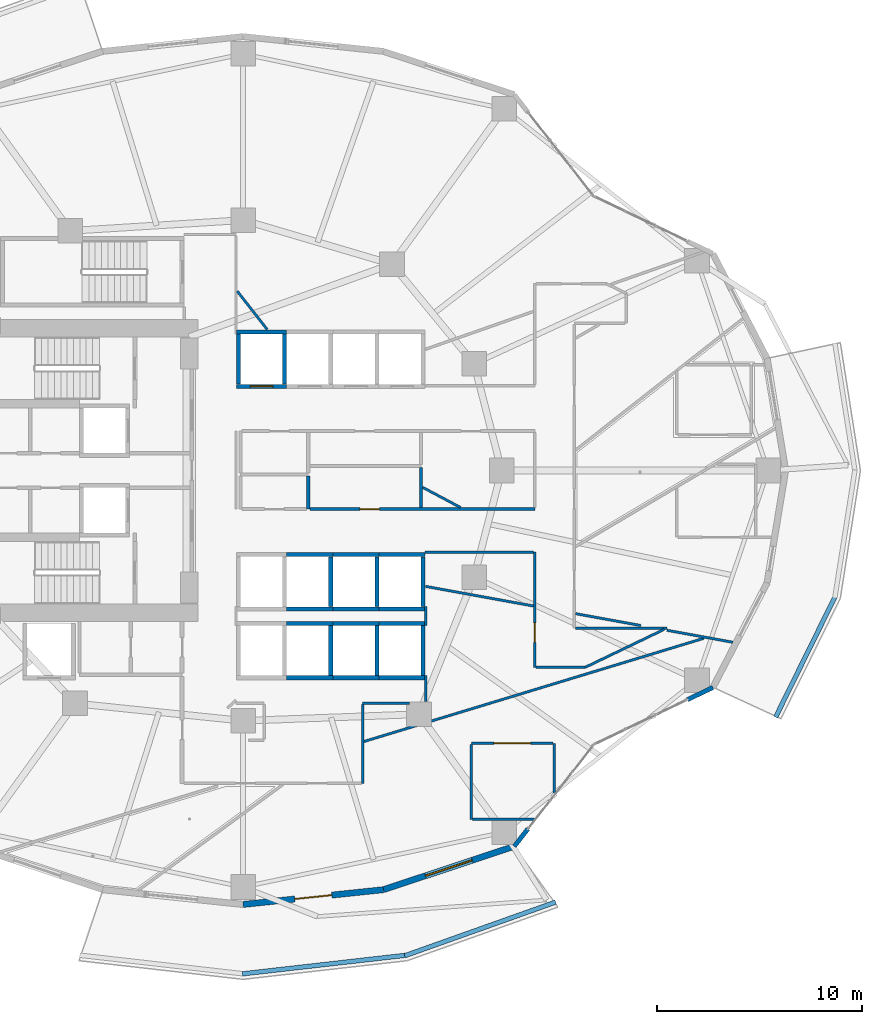
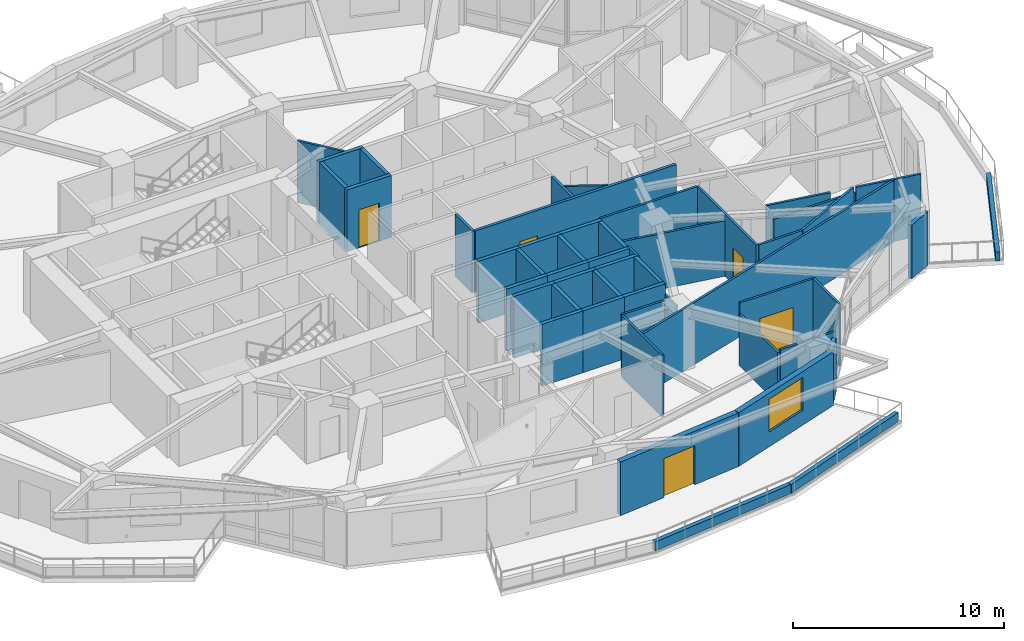
# One storey, part 10 of 19: 51 walls, 5 doors, 1 window, 6 openings.
"""IFC4 building model written with IfcOpenShell, lengths in metres."""

from ifc_helpers import new_model, si_unit, direction, frame, frame_2d, origin, place, context, subcontext, project, spatial, rectangle, extrude, material, layer, layer_set, type_object, element, fill, save


model = new_model("IFC4")

# Units and contexts
model_context = context("Model", 3, precision=1e-05, world=origin(), true_north=direction((0.0, 1.0)))
body_context = subcontext(model_context, "Body", "Model", "MODEL_VIEW")
ifc_project = project(units=[si_unit("LENGTHUNIT", "METRE"), si_unit("AREAUNIT", "SQUARE_METRE"), si_unit("VOLUMEUNIT", "CUBIC_METRE"), si_unit("PLANEANGLEUNIT", "RADIAN"), si_unit("MASSUNIT", "GRAM", prefix="KILO")], contexts=[model_context])

# Site, building, storey
site_placement = place(None, origin())
site = spatial("IfcSite", under=ifc_project, at=site_placement, CompositionType="ELEMENT")
building_placement = place(site_placement, origin())
building = spatial("IfcBuilding", under=site, at=building_placement, Name="Kolvaren Gate Tower and Convention Centre", CompositionType="ELEMENT")
storey_placement = place(building_placement, frame((0.0, 0.0, 68.85009765625)))
storey = spatial("IfcBuildingStorey", under=building, at=storey_placement, Name="L16", CompositionType="ELEMENT", Elevation=68.85009765625)

# Walls
ifc_material_1 = material(Name="Fire-Rated Acoustic Gypsum Stud Partition", Category="gypsum")
ifc_layer_1 = layer(ifc_material_1, 0.1201171875)
ifc_layer_set_1 = layer_set([ifc_layer_1], Name="Fire-Rated Acoustic Gypsum Stud Partition")
wall_type_1 = type_object("IfcWallType", Name="ARCH-WL-PART-120", PredefinedType="PARTITIONING", material=ifc_layer_set_1)
wall_1_placement = place(storey_placement, frame((35.949951171875, 15.64990234375, 0.0), z_axis=(0.0, 0.0, 1.0), x_axis=(1.0, 0.0, 0.0)))
element("IfcWall", 1, at=wall_1_placement, inside=storey, type_object=wall_type_1, Name="Interior Partition WL-L16-INT-023", PredefinedType="PARTITIONING", context=body_context, shape_type="SweptSolid", body=[
    extrude(rectangle(XDim=2.291015625, YDim=0.1201171875, at=frame_2d((1.1455078125, 0.0))), origin(), (0.0, 0.0, 1.0), 3.56982421875),
])
wall_2_placement = place(storey_placement, frame((35.949951171875, 11.75, 0.0), z_axis=(0.0, 0.0, 1.0), x_axis=(0.0, 1.0, 0.0)))
element("IfcWall", 2, at=wall_2_placement, inside=storey, type_object=wall_type_1, Name="Interior Partition WL-L16-INT-024", PredefinedType="PARTITIONING", context=body_context, shape_type="SweptSolid", body=[
    extrude(rectangle(XDim=3.837890625, YDim=0.1201171875, at=frame_2d((1.9189453125, 0.0))), origin(), (0.0, 0.0, 1.0), 3.56982421875),
])

# Wall, opening, door
wall_3_placement = place(storey_placement, frame((44.35009765625, 17.39990234375, 0.0), z_axis=(0.0, 0.0, 1.0), x_axis=(0.0, 1.0, 0.0)))
wall_3 = element("IfcWall", 3, at=wall_3_placement, inside=storey, type_object=wall_type_1, Name="Interior Partition WL-L16-INT-032", PredefinedType="PARTITIONING", context=body_context, shape_type="SweptSolid", body=[
    extrude(rectangle(XDim=5.6201171875, YDim=0.1201171875, at=frame_2d((2.81005859375, 0.0))), origin(), (0.0, 0.0, 1.0), 3.56982421875),
])
opening_1_placement = place(wall_3_placement, frame((1.222900390625, 0.0, 0.0)))
opening_1 = element("IfcOpeningElement", 4, at=opening_1_placement, cuts=wall_3, Name="Opening DR-01", PredefinedType="OPENING", context=body_context, shape_type="SweptSolid", body=[
    extrude(rectangle(XDim=0.949951171875, YDim=2.10009765625, at=frame_2d((0.47509765625, 1.050048828125))), frame((0.0, 0.070068359375, 0.0), z_axis=(0.0, -1.0, 0.0), x_axis=(1.0, 0.0, 0.0)), (0.0, 0.0, 1.0), 0.14013671875),
])
ifc_material_2 = material(Name="Painted Architectural Steelwork ASTM A500 Grade C 345 MPa", Category="steel")
door_type_1 = type_object("IfcDoorType", Name="ARCH-DR-RISER-950", OperationType="SINGLE_SWING_RIGHT", PredefinedType="DOOR", material=ifc_material_2)
door_1_placement = place(opening_1_placement, origin())
door_1 = element("IfcDoor", 5, at=door_1_placement, inside=storey, type_object=door_type_1, Name="Associate Cellular Office Door", OperationType="SINGLE_SWING_LEFT", OverallHeight=2.10009765625, OverallWidth=0.949951171875, PredefinedType="DOOR", context=body_context, shape_type="SweptSolid", body=[
    extrude(rectangle(XDim=0.949951171875, YDim=2.10009765625, at=frame_2d((0.47509765625, 1.050048828125))), frame((0.0, 0.02490234375, 0.0), z_axis=(0.0, -1.0, 0.0), x_axis=(1.0, 0.0, 0.0)), (0.0, 0.0, 1.0), 0.050048828125),
])
fill(opening_1, door_1)

# Walls
wall_4_placement = place(storey_placement, frame((46.33203125, 19.320068359375, 0.0), z_axis=(0.0, 0.0, 1.0), x_axis=(1.0, 0.0, 0.0)))
element("IfcWall", 6, at=wall_4_placement, inside=storey, type_object=wall_type_1, Name="Interior Partition WL-L16-INT-040", PredefinedType="PARTITIONING", context=body_context, shape_type="SweptSolid", body=[
    extrude(rectangle(XDim=4.447021484375, YDim=0.1201171875, at=frame_2d((2.2236328125, 0.0))), origin(), (0.0, 0.0, 1.0), 3.204833984375),
])
wall_5_placement = place(storey_placement, frame((46.782958984375, 17.39990234375, 0.0), z_axis=(0.0, 0.0, 1.0), x_axis=(0.901339159108, 0.433113980679, 0.0)))
element("IfcWall", 7, at=wall_5_placement, inside=storey, type_object=wall_type_1, Name="Interior Partition WL-L16-INT-041", PredefinedType="PARTITIONING", context=body_context, shape_type="SweptSolid", body=[
    extrude(rectangle(XDim=4.290283203125, YDim=0.1201171875, at=frame_2d((2.14501953125, 0.0))), origin(), (0.0, 0.0, 1.0), 3.56982421875),
])
wall_6_placement = place(storey_placement, frame((44.412109375, 17.39990234375, 0.0), z_axis=(0.0, 0.0, 1.0), x_axis=(1.0, 0.0, 0.0)))
element("IfcWall", 8, at=wall_6_placement, inside=storey, type_object=wall_type_1, Name="Interior Partition WL-L16-INT-042", PredefinedType="PARTITIONING", context=body_context, shape_type="SweptSolid", body=[
    extrude(rectangle(XDim=2.370849609375, YDim=0.1201171875, at=frame_2d((1.185546875, 0.0))), origin(), (0.0, 0.0, 1.0), 3.56982421875),
])
wall_7_placement = place(storey_placement, frame((39.0, 23.02001953125, 0.0), z_axis=(0.0, 0.0, 1.0), x_axis=(1.0, 0.0, 0.0)))
element("IfcWall", 9, at=wall_7_placement, inside=storey, type_object=wall_type_1, Name="Interior Partition WL-L16-INT-043", PredefinedType="PARTITIONING", context=body_context, shape_type="SweptSolid", body=[
    extrude(rectangle(XDim=5.2880859375, YDim=0.1201171875, at=frame_2d((2.64404296875, 0.0))), origin(), (0.0, 0.0, 1.0), 3.56982421875),
])
wall_8_placement = place(storey_placement, frame((39.02001953125, 15.741943359375, 0.0), z_axis=(0.0, 0.0, 1.0), x_axis=(0.0, 1.0, 0.0)))
element("IfcWall", 10, at=wall_8_placement, inside=storey, type_object=wall_type_1, Name="Interior Partition WL-L16-INT-044", PredefinedType="PARTITIONING", context=body_context, shape_type="SweptSolid", body=[
    extrude(rectangle(XDim=1.26806640625, YDim=0.1201171875, at=frame_2d((0.634033203125, 0.0))), origin(), (0.0, 0.0, 1.0), 2.933837890625),
])
wall_9_placement = place(storey_placement, frame((39.02001953125, 19.43994140625, 0.0), z_axis=(0.0, 0.0, 1.0), x_axis=(0.0, 1.0, 0.0)))
element("IfcWall", 11, at=wall_9_placement, inside=storey, type_object=wall_type_1, Name="Interior Partition WL-L16-INT-044 (2)", PredefinedType="PARTITIONING", context=body_context, shape_type="SweptSolid", body=[
    extrude(rectangle(XDim=0.920166015625, YDim=0.1201171875, at=frame_2d((0.4599609375, 0.0))), origin(), (0.0, 0.0, 1.0), 3.56982421875),
])
wall_10_placement = place(storey_placement, frame((39.02001953125, 21.351318359375, 0.0), z_axis=(0.0, 0.0, 1.0), x_axis=(0.983848017156, -0.179005807552, 0.0)))
element("IfcWall", 12, at=wall_10_placement, inside=storey, type_object=wall_type_1, Name="Interior Partition WL-L16-INT-049", PredefinedType="PARTITIONING", context=body_context, shape_type="SweptSolid", body=[
    extrude(rectangle(XDim=5.3544921875, YDim=0.1201171875, at=frame_2d((2.67724609375, 0.0))), origin(), (0.0, 0.0, 1.0), 3.204833984375),
])
wall_11_placement = place(storey_placement, frame((46.33203125, 20.02099609375, 0.0), z_axis=(0.0, 0.0, 1.0), x_axis=(0.983836071263, -0.17907145189, 0.0)))
element("IfcWall", 13, at=wall_11_placement, inside=storey, type_object=wall_type_1, Name="Interior Partition WL-L16-INT-050", PredefinedType="PARTITIONING", context=body_context, shape_type="SweptSolid", body=[
    extrude(rectangle(XDim=3.23388671875, YDim=0.1201171875, at=frame_2d((1.616943359375, 0.0))), origin(), (0.0, 0.0, 1.0), 3.56982421875),
])
wall_12_placement = place(storey_placement, frame((50.779052734375, 19.2119140625, 0.0), z_axis=(0.0, 0.0, 1.0), x_axis=(0.983831584621, -0.179096100189, 0.0)))
element("IfcWall", 14, at=wall_12_placement, inside=storey, type_object=wall_type_1, Name="Interior Partition WL-L16-INT-051", PredefinedType="PARTITIONING", context=body_context, shape_type="SweptSolid", body=[
    extrude(rectangle(XDim=3.263427734375, YDim=0.1201171875, at=frame_2d((1.6318359375, 0.0))), origin(), (0.0, 0.0, 1.0), 3.56982421875),
])
wall_13_placement = place(storey_placement, frame((36.011962890625, 13.78955078125, 0.0), z_axis=(0.0, 0.0, 1.0), x_axis=(0.95683920317, 0.290617857809, 0.0)))
element("IfcWall", 15, at=wall_13_placement, inside=storey, type_object=wall_type_1, Name="Interior Partition WL-L16-INT-053", PredefinedType="PARTITIONING", context=body_context, shape_type="SweptSolid", body=[
    extrude(rectangle(XDim=17.31396484375, YDim=0.1201171875, at=frame_2d((8.656982421875, 0.0))), origin(), (0.0, 0.0, 1.0), 3.56982421875),
])
wall_14_placement = place(storey_placement, frame((45.300048828125, 11.2197265625, 0.0), z_axis=(0.0, 0.0, 1.0), x_axis=(0.0, 1.0, 0.0)))
element("IfcWall", 16, at=wall_14_placement, inside=storey, type_object=wall_type_1, Name="Interior Partition WL-L16-INT-055", PredefinedType="PARTITIONING", context=body_context, shape_type="SweptSolid", body=[
    extrude(rectangle(XDim=2.480224609375, YDim=0.1201171875, at=frame_2d((1.240234375, 0.0))), origin(), (0.0, 0.0, 1.0), 3.56982421875),
])

# Wall, opening, door
wall_15_placement = place(storey_placement, frame((41.25, 13.699951171875, 0.0), z_axis=(0.0, 0.0, 1.0), x_axis=(1.0, 0.0, 0.0)))
wall_15 = element("IfcWall", 17, at=wall_15_placement, inside=storey, type_object=wall_type_1, Name="Interior Partition WL-L16-INT-056", PredefinedType="PARTITIONING", context=body_context, shape_type="SweptSolid", body=[
    extrude(rectangle(XDim=3.988037109375, YDim=0.1201171875, at=frame_2d((1.994140625, 0.0))), origin(), (0.0, 0.0, 1.0), 3.56982421875),
])
opening_2_placement = place(wall_15_placement, frame((1.093994140625, 0.0, 0.0)))
opening_2 = element("IfcOpeningElement", 18, at=opening_2_placement, cuts=wall_15, Name="Opening DH-01", PredefinedType="OPENING", context=body_context, shape_type="SweptSolid", body=[
    extrude(rectangle(XDim=1.800048828125, YDim=2.300048828125, at=frame_2d((0.89990234375, 1.14990234375))), frame((0.0, 0.070068359375, 0.0), z_axis=(0.0, -1.0, 0.0), x_axis=(1.0, 0.0, 0.0)), (0.0, 0.0, 1.0), 0.14013671875),
])
ifc_material_3 = material(Name="FSC Andean Oak Engineered Veneer Door Leaf", Category="wood")
door_type_2 = type_object("IfcDoorType", Name="ARCH-DR-HALL-1800", OperationType="DOUBLE_DOOR_SINGLE_SWING", PredefinedType="DOOR", material=ifc_material_3)
door_2_placement = place(opening_2_placement, origin())
door_2 = element("IfcDoor", 19, at=door_2_placement, inside=storey, type_object=door_type_2, Name="Consultation Meeting Room Door", OperationType="DOUBLE_DOOR_SINGLE_SWING", OverallHeight=2.300048828125, OverallWidth=1.800048828125, PredefinedType="DOOR", context=body_context, shape_type="SweptSolid", body=[
    extrude(rectangle(XDim=1.800048828125, YDim=2.300048828125, at=frame_2d((0.89990234375, 1.14990234375))), frame((0.0, 0.02490234375, 0.0), z_axis=(0.0, -1.0, 0.0), x_axis=(1.0, 0.0, 0.0)), (0.0, 0.0, 1.0), 0.050048828125),
])
fill(opening_2, door_2)

# Walls
wall_16_placement = place(storey_placement, frame((41.25, 10.0, 0.0), z_axis=(0.0, 0.0, 1.0), x_axis=(0.0, 1.0, 0.0)))
element("IfcWall", 20, at=wall_16_placement, inside=storey, type_object=wall_type_1, Name="Interior Partition WL-L16-INT-057", PredefinedType="PARTITIONING", context=body_context, shape_type="SweptSolid", body=[
    extrude(rectangle(XDim=3.637939453125, YDim=0.1201171875, at=frame_2d((1.81884765625, 0.0))), origin(), (0.0, 0.0, 1.0), 2.933837890625),
])
wall_17_placement = place(storey_placement, frame((41.31201171875, 10.0, 0.0), z_axis=(0.0, 0.0, 1.0), x_axis=(1.0, 0.0, 0.0)))
element("IfcWall", 21, at=wall_17_placement, inside=storey, type_object=wall_type_1, Name="Interior Partition WL-L16-INT-058", PredefinedType="PARTITIONING", context=body_context, shape_type="SweptSolid", body=[
    extrude(rectangle(XDim=3.033203125, YDim=0.1201171875, at=frame_2d((1.5166015625, 0.0))), origin(), (0.0, 0.0, 1.0), 3.093017578125),
])
wall_18_placement = place(storey_placement, frame((38.876953125, 26.177001953125, 0.0), z_axis=(0.0, 0.0, 1.0), x_axis=(0.882864132349, -0.469628495527, 0.0)))
element("IfcWall", 22, at=wall_18_placement, inside=storey, type_object=wall_type_1, Name="Interior Partition WL-L16-INT-065", PredefinedType="PARTITIONING", context=body_context, shape_type="SweptSolid", body=[
    extrude(rectangle(XDim=2.086669921875, YDim=0.1201171875, at=frame_2d((1.04345703125, 0.0))), origin(), (0.0, 0.0, 1.0), 3.56982421875),
])
wall_19_placement = place(storey_placement, frame((29.842041015625, 35.737548828125, 0.0), z_axis=(0.0, 0.0, 1.0), x_axis=(0.615658036341, -0.788013440424, 0.0)))
element("IfcWall", 23, at=wall_19_placement, inside=storey, type_object=wall_type_1, Name="Interior Partition WL-L16-INT-073", PredefinedType="PARTITIONING", context=body_context, shape_type="SweptSolid", body=[
    extrude(rectangle(XDim=2.369873046875, YDim=0.1201171875, at=frame_2d((1.18505859375, 0.0))), origin(), (0.0, 0.0, 1.0), 3.56982421875),
])
ifc_material_4 = material(Name="Bogota Sabana Bush-Hammered Sandstone Cladding", Category="masonry")
ifc_layer_2 = layer(ifc_material_4, 0.219970703125)
ifc_layer_set_2 = layer_set([ifc_layer_2], Name="Bogota Sabana Bush-Hammered Sandstone Cladding")
wall_type_2 = type_object("IfcWallType", Name="ARCH-WL-PIER-220", PredefinedType="SOLIDWALL", material=ifc_layer_set_2)
wall_20_placement = place(storey_placement, frame((43.34375, 8.68359375, 0.0), z_axis=(0.0, 0.0, 1.0), x_axis=(0.616387780378, 0.787442762492, 0.0)))
element("IfcWall", 24, at=wall_20_placement, inside=storey, type_object=wall_type_2, Name="Tower L16 Unitised Curtain Wall CW-OFF-UNIT Bay 20 Left Column Pier Wrap", PredefinedType="SOLIDWALL", context=body_context, shape_type="SweptSolid", body=[
    extrude(rectangle(XDim=1.076171875, YDim=0.219970703125, at=frame_2d((0.5380859375, 0.0))), origin(), (0.0, 0.0, 1.0), 3.093017578125),
])
wall_21_placement = place(storey_placement, frame((51.77587890625, 15.826904296875, 0.0), z_axis=(0.0, 0.0, 1.0), x_axis=(0.90131879969, 0.433156347438, 0.0)))
element("IfcWall", 25, at=wall_21_placement, inside=storey, type_object=wall_type_2, Name="Tower L16 Unitised Curtain Wall CW-OFF-UNIT Bay 21 Right Column Pier Wrap", PredefinedType="SOLIDWALL", context=body_context, shape_type="SweptSolid", body=[
    extrude(rectangle(XDim=1.380859375, YDim=0.219970703125, at=frame_2d((0.6904296875, 0.0))), origin(), (0.0, 0.0, 1.0), 3.093017578125),
])
ifc_material_5 = material(Name="Piedmont Cream Honed Limestone Cladding", Category="masonry")
ifc_layer_3 = layer(ifc_material_5, 0.219970703125)
ifc_layer_set_3 = layer_set([ifc_layer_3], Name="Piedmont Cream Honed Limestone Cladding")
wall_type_3 = type_object("IfcWallType", Name="ARCH-WL-PLANTER-220", PredefinedType="PARAPET", material=ifc_layer_set_3)
wall_22_placement = place(storey_placement, frame((30.07958984375, 2.46630859375, 0.0), z_axis=(0.0, 0.0, 1.0), x_axis=(0.993598144351, 0.112972242349, 0.0)))
element("IfcWall", 26, at=wall_22_placement, inside=storey, type_object=wall_type_3, Name="Vertical-Forest Balcony Stone Planter Kerb PK-L16-3.2", PredefinedType="PARAPET", context=body_context, shape_type="SweptSolid", body=[
    extrude(rectangle(XDim=8.056396484375, YDim=0.219970703125, at=frame_2d((4.0283203125, 0.0))), origin(), (0.0, 0.0, 1.0), 0.52001953125),
])
wall_23_placement = place(storey_placement, frame((38.001220703125, 3.348876953125, 0.0), z_axis=(0.0, 0.0, 1.0), x_axis=(0.942203722205, 0.335040513764, 0.0)))
element("IfcWall", 27, at=wall_23_placement, inside=storey, type_object=wall_type_3, Name="Vertical-Forest Balcony Stone Planter Kerb PK-L16-3.3", PredefinedType="PARAPET", context=body_context, shape_type="SweptSolid", body=[
    extrude(rectangle(XDim=7.80712890625, YDim=0.219970703125, at=frame_2d((3.903564453125, 0.0))), origin(), (0.0, 0.0, 1.0), 0.52001953125),
])
wall_24_placement = place(storey_placement, frame((56.077392578125, 14.978515625, 0.0), z_axis=(0.0, 0.0, 1.0), x_axis=(0.442686636348, 0.89667638644, 0.0)))
element("IfcWall", 28, at=wall_24_placement, inside=storey, type_object=wall_type_3, Name="Vertical-Forest Balcony Stone Planter Kerb PK-L16-4.1", PredefinedType="PARAPET", context=body_context, shape_type="SweptSolid", body=[
    extrude(rectangle(XDim=6.544677734375, YDim=0.219970703125, at=frame_2d((3.2724609375, 0.0))), origin(), (0.0, 0.0, 1.0), 0.52001953125),
])
ifc_material_6 = material(Name="Autoclaved Aerated Masonry Blockwork Class 4 (4.0 MPa)", Category="masonry")
ifc_layer_4 = layer(ifc_material_6, 0.199951171875)
ifc_layer_set_4 = layer_set([ifc_layer_4], Name="Autoclaved Aerated Masonry Blockwork Class 4 (4.0 MPa)")
wall_type_4 = type_object("IfcWallType", Name="ARCH-WL-SHAFT-200", PredefinedType="SOLIDWALL", material=ifc_layer_set_4)
wall_25_placement = place(storey_placement, frame((29.800048828125, 33.75, 0.0), z_axis=(0.0, 0.0, 1.0), x_axis=(1.0, 0.0, 0.0)))
element("IfcWall", 29, at=wall_25_placement, inside=storey, type_object=wall_type_4, Name="Elevator PL-01 L16 Fire Shaft Wall N", PredefinedType="SOLIDWALL", context=body_context, shape_type="SweptSolid", body=[
    extrude(rectangle(XDim=2.449951171875, YDim=0.199951171875, at=frame_2d((1.22509765625, 0.0))), origin(), (0.0, 0.0, 1.0), 3.56982421875),
])

# Wall, opening, door
wall_26_placement = place(storey_placement, frame((29.800048828125, 31.10009765625, 0.0), z_axis=(0.0, 0.0, 1.0), x_axis=(1.0, 0.0, 0.0)))
wall_26 = element("IfcWall", 30, at=wall_26_placement, inside=storey, type_object=wall_type_4, Name="Elevator PL-01 L16 Fire Shaft Wall S", PredefinedType="SOLIDWALL", context=body_context, shape_type="SweptSolid", body=[
    extrude(rectangle(XDim=2.449951171875, YDim=0.199951171875, at=frame_2d((1.22509765625, 0.0))), origin(), (0.0, 0.0, 1.0), 3.56982421875),
])
opening_3_placement = place(wall_26_placement, frame((0.675048828125, 0.0, 0.0)))
opening_3 = element("IfcOpeningElement", 31, at=opening_3_placement, cuts=wall_26, Name="Opening LD", PredefinedType="OPENING", context=body_context, shape_type="SweptSolid", body=[
    extrude(rectangle(XDim=1.10009765625, YDim=2.199951171875, at=frame_2d((0.550048828125, 1.10009765625))), frame((0.0, 0.10986328125, 0.0), z_axis=(0.0, -1.0, 0.0), x_axis=(1.0, 0.0, 0.0)), (0.0, 0.0, 1.0), 0.219970703125),
])
ifc_material_7 = material(Name="Brushed Stainless Steel Grade 316L", Category="steel")
door_type_3 = type_object("IfcDoorType", Name="ARCH-DR-LIFT-1100", OperationType="SLIDING_TO_LEFT", PredefinedType="DOOR", material=ifc_material_7)
door_3_placement = place(opening_3_placement, origin())
door_3 = element("IfcDoor", 32, at=door_3_placement, inside=storey, type_object=door_type_3, Name="Elevator PL-01 L16 Sliding Landing Door", OperationType="SLIDING_TO_LEFT", OverallHeight=2.199951171875, OverallWidth=1.10009765625, PredefinedType="DOOR", context=body_context, shape_type="SweptSolid", body=[
    extrude(rectangle(XDim=1.10009765625, YDim=2.199951171875, at=frame_2d((0.550048828125, 1.10009765625))), frame((0.0, 0.02490234375, 0.0), z_axis=(0.0, -1.0, 0.0), x_axis=(1.0, 0.0, 0.0)), (0.0, 0.0, 1.0), 0.050048828125),
])
fill(opening_3, door_3)

# Walls
for number, where, z_axis, x_axis, name in (
    (33, (29.89990234375, 31.2099609375, 0.0), (0.0, 0.0, 1.0), (0.0, 1.0, 0.0), "Elevator PL-01 L16 Fire Shaft Wall W"),
    (34, (32.14990234375, 31.2099609375, 0.0), (0.0, 0.0, 1.0), (0.0, 1.0, 0.0), "Elevator PL-01 L16 Fire Shaft Wall E"),
):
    element("IfcWall", number, at=place(storey_placement, frame(where, z_axis=z_axis, x_axis=x_axis)), inside=storey, type_object=wall_type_4, Name=name, PredefinedType="SOLIDWALL", context=body_context, shape_type="SweptSolid", body=[
        extrude(rectangle(XDim=2.429931640625, YDim=0.199951171875, at=frame_2d((1.21484375, 0.0))), origin(), (0.0, 0.0, 1.0), 3.56982421875),
    ])
for number, where, z_axis, x_axis, name in (
    (35, (32.25, 19.550048828125, 0.0), (0.0, 0.0, 1.0), (1.0, 0.0, 0.0), "Elevator PL-06 L16 Fire Shaft Wall N"),
    (36, (32.25, 16.89990234375, 0.0), (0.0, 0.0, 1.0), (1.0, 0.0, 0.0), "Elevator PL-06 L16 Fire Shaft Wall S"),
):
    element("IfcWall", number, at=place(storey_placement, frame(where, z_axis=z_axis, x_axis=x_axis)), inside=storey, type_object=wall_type_4, Name=name, PredefinedType="SOLIDWALL", context=body_context, shape_type="SweptSolid", body=[
        extrude(rectangle(XDim=2.25, YDim=0.199951171875, at=frame_2d((1.125, 0.0))), origin(), (0.0, 0.0, 1.0), 3.56982421875),
    ])
wall_27_placement = place(storey_placement, frame((34.39990234375, 17.010009765625, 0.0), z_axis=(0.0, 0.0, 1.0), x_axis=(0.0, 1.0, 0.0)))
element("IfcWall", 37, at=wall_27_placement, inside=storey, type_object=wall_type_4, Name="Elevator PL-06 L16 Fire Shaft Wall E", PredefinedType="SOLIDWALL", context=body_context, shape_type="SweptSolid", body=[
    extrude(rectangle(XDim=2.429931640625, YDim=0.199951171875, at=frame_2d((1.21484375, 0.0))), origin(), (0.0, 0.0, 1.0), 3.56982421875),
])
for number, where, z_axis, x_axis, name in (
    (38, (34.5, 19.550048828125, 0.0), (0.0, 0.0, 1.0), (1.0, 0.0, 0.0), "Elevator PL-07 L16 Fire Shaft Wall N"),
    (39, (34.5, 16.89990234375, 0.0), (0.0, 0.0, 1.0), (1.0, 0.0, 0.0), "Elevator PL-07 L16 Fire Shaft Wall S"),
):
    element("IfcWall", number, at=place(storey_placement, frame(where, z_axis=z_axis, x_axis=x_axis)), inside=storey, type_object=wall_type_4, Name=name, PredefinedType="SOLIDWALL", context=body_context, shape_type="SweptSolid", body=[
        extrude(rectangle(XDim=2.25, YDim=0.199951171875, at=frame_2d((1.125, 0.0))), origin(), (0.0, 0.0, 1.0), 3.56982421875),
    ])
wall_28_placement = place(storey_placement, frame((36.64990234375, 17.010009765625, 0.0), z_axis=(0.0, 0.0, 1.0), x_axis=(0.0, 1.0, 0.0)))
element("IfcWall", 40, at=wall_28_placement, inside=storey, type_object=wall_type_4, Name="Elevator PL-07 L16 Fire Shaft Wall E", PredefinedType="SOLIDWALL", context=body_context, shape_type="SweptSolid", body=[
    extrude(rectangle(XDim=2.429931640625, YDim=0.199951171875, at=frame_2d((1.21484375, 0.0))), origin(), (0.0, 0.0, 1.0), 3.56982421875),
])
for number, where, z_axis, x_axis, name in (
    (41, (36.75, 19.550048828125, 0.0), (0.0, 0.0, 1.0), (1.0, 0.0, 0.0), "Elevator PL-08 L16 Fire Shaft Wall N"),
    (42, (36.75, 16.89990234375, 0.0), (0.0, 0.0, 1.0), (1.0, 0.0, 0.0), "Elevator PL-08 L16 Fire Shaft Wall S"),
):
    element("IfcWall", number, at=place(storey_placement, frame(where, z_axis=z_axis, x_axis=x_axis)), inside=storey, type_object=wall_type_4, Name=name, PredefinedType="SOLIDWALL", context=body_context, shape_type="SweptSolid", body=[
        extrude(rectangle(XDim=2.25, YDim=0.199951171875, at=frame_2d((1.125, 0.0))), origin(), (0.0, 0.0, 1.0), 3.56982421875),
    ])
wall_29_placement = place(storey_placement, frame((38.89990234375, 17.010009765625, 0.0), z_axis=(0.0, 0.0, 1.0), x_axis=(0.0, 1.0, 0.0)))
element("IfcWall", 43, at=wall_29_placement, inside=storey, type_object=wall_type_4, Name="Elevator PL-08 L16 Fire Shaft Wall E", PredefinedType="SOLIDWALL", context=body_context, shape_type="SweptSolid", body=[
    extrude(rectangle(XDim=2.429931640625, YDim=0.199951171875, at=frame_2d((1.21484375, 0.0))), origin(), (0.0, 0.0, 1.0), 3.56982421875),
])
for number, where, z_axis, x_axis, name in (
    (44, (32.25, 22.89990234375, 0.0), (0.0, 0.0, 1.0), (1.0, 0.0, 0.0), "Elevator PL-10 L16 Fire Shaft Wall N"),
    (45, (32.25, 20.25, 0.0), (0.0, 0.0, 1.0), (1.0, 0.0, 0.0), "Elevator PL-10 L16 Fire Shaft Wall S"),
):
    element("IfcWall", number, at=place(storey_placement, frame(where, z_axis=z_axis, x_axis=x_axis)), inside=storey, type_object=wall_type_4, Name=name, PredefinedType="SOLIDWALL", context=body_context, shape_type="SweptSolid", body=[
        extrude(rectangle(XDim=2.25, YDim=0.199951171875, at=frame_2d((1.125, 0.0))), origin(), (0.0, 0.0, 1.0), 3.56982421875),
    ])
wall_30_placement = place(storey_placement, frame((34.39990234375, 20.360107421875, 0.0), z_axis=(0.0, 0.0, 1.0), x_axis=(0.0, 1.0, 0.0)))
element("IfcWall", 46, at=wall_30_placement, inside=storey, type_object=wall_type_4, Name="Elevator PL-10 L16 Fire Shaft Wall E", PredefinedType="SOLIDWALL", context=body_context, shape_type="SweptSolid", body=[
    extrude(rectangle(XDim=2.429931640625, YDim=0.199951171875, at=frame_2d((1.21484375, 0.0))), origin(), (0.0, 0.0, 1.0), 3.56982421875),
])
for number, where, z_axis, x_axis, name in (
    (47, (34.5, 22.89990234375, 0.0), (0.0, 0.0, 1.0), (1.0, 0.0, 0.0), "Elevator PL-11 L16 Fire Shaft Wall N"),
    (48, (34.5, 20.25, 0.0), (0.0, 0.0, 1.0), (1.0, 0.0, 0.0), "Elevator PL-11 L16 Fire Shaft Wall S"),
):
    element("IfcWall", number, at=place(storey_placement, frame(where, z_axis=z_axis, x_axis=x_axis)), inside=storey, type_object=wall_type_4, Name=name, PredefinedType="SOLIDWALL", context=body_context, shape_type="SweptSolid", body=[
        extrude(rectangle(XDim=2.25, YDim=0.199951171875, at=frame_2d((1.125, 0.0))), origin(), (0.0, 0.0, 1.0), 3.56982421875),
    ])
wall_31_placement = place(storey_placement, frame((36.64990234375, 20.360107421875, 0.0), z_axis=(0.0, 0.0, 1.0), x_axis=(0.0, 1.0, 0.0)))
element("IfcWall", 49, at=wall_31_placement, inside=storey, type_object=wall_type_4, Name="Elevator PL-11 L16 Fire Shaft Wall E", PredefinedType="SOLIDWALL", context=body_context, shape_type="SweptSolid", body=[
    extrude(rectangle(XDim=2.429931640625, YDim=0.199951171875, at=frame_2d((1.21484375, 0.0))), origin(), (0.0, 0.0, 1.0), 3.56982421875),
])
for number, where, z_axis, x_axis, name in (
    (50, (36.75, 22.89990234375, 0.0), (0.0, 0.0, 1.0), (1.0, 0.0, 0.0), "Elevator PL-12 L16 Fire Shaft Wall N"),
    (51, (36.75, 20.25, 0.0), (0.0, 0.0, 1.0), (1.0, 0.0, 0.0), "Elevator PL-12 L16 Fire Shaft Wall S"),
):
    element("IfcWall", number, at=place(storey_placement, frame(where, z_axis=z_axis, x_axis=x_axis)), inside=storey, type_object=wall_type_4, Name=name, PredefinedType="SOLIDWALL", context=body_context, shape_type="SweptSolid", body=[
        extrude(rectangle(XDim=2.25, YDim=0.199951171875, at=frame_2d((1.125, 0.0))), origin(), (0.0, 0.0, 1.0), 3.56982421875),
    ])
wall_32_placement = place(storey_placement, frame((38.89990234375, 20.360107421875, 0.0), z_axis=(0.0, 0.0, 1.0), x_axis=(0.0, 1.0, 0.0)))
element("IfcWall", 52, at=wall_32_placement, inside=storey, type_object=wall_type_4, Name="Elevator PL-12 L16 Fire Shaft Wall E", PredefinedType="SOLIDWALL", context=body_context, shape_type="SweptSolid", body=[
    extrude(rectangle(XDim=2.429931640625, YDim=0.199951171875, at=frame_2d((1.21484375, 0.0))), origin(), (0.0, 0.0, 1.0), 3.56982421875),
])

# Wall, opening, door
ifc_layer_5 = layer(ifc_material_5, 0.300048828125)
ifc_layer_set_5 = layer_set([ifc_layer_5], Name="Piedmont Cream Honed Limestone Cladding")
wall_type_5 = type_object("IfcWallType", Name="ARCH-WL-STONE-300", PredefinedType="SOLIDWALL", material=ifc_layer_set_5)
wall_33_placement = place(storey_placement, frame((30.125, 5.85009765625, 0.0), z_axis=(0.0, 0.0, 1.0), x_axis=(0.994498840295, 0.104747585419, 0.0)))
wall_33 = element("IfcWall", 53, at=wall_33_placement, inside=storey, type_object=wall_type_5, Name="Tower L16 Honed Stone Spandrel Wall EW-18", PredefinedType="SOLIDWALL", context=body_context, shape_type="SweptSolid", body=[
    extrude(rectangle(XDim=6.88037109375, YDim=0.300048828125, at=frame_2d((3.440185546875, 0.0))), origin(), (0.0, 0.0, 1.0), 3.093017578125),
])
opening_4_placement = place(wall_33_placement, frame((2.5400390625, 0.0, 0.0)))
opening_4 = element("IfcOpeningElement", 54, at=opening_4_placement, cuts=wall_33, Name="Opening DB-01", PredefinedType="OPENING", context=body_context, shape_type="SweptSolid", body=[
    extrude(rectangle(XDim=1.800048828125, YDim=2.25, at=frame_2d((0.89990234375, 1.125))), frame((0.0, 0.159912109375, 0.0), z_axis=(0.0, -1.0, 0.0), x_axis=(1.0, 0.0, 0.0)), (0.0, 0.0, 1.0), 0.320068359375),
])
ifc_material_8 = material(Name="Anodized Architectural Aluminium Alloy 6063-T6", Category="aluminium")
door_type_4 = type_object("IfcDoorType", Name="ARCH-DR-BALC-1800", OperationType="SLIDING_TO_LEFT", PredefinedType="DOOR", material=ifc_material_8)
door_4_placement = place(opening_4_placement, frame((1.800048828125, 0.0, 0.0), z_axis=(0.0, 0.0, 1.0), x_axis=(-1.0, 0.0, 0.0)))
door_4 = element("IfcDoor", 55, at=door_4_placement, inside=storey, type_object=door_type_4, Name="Planted Sky Terrace Access Door DB-L16-18", OperationType="SLIDING_TO_LEFT", OverallHeight=2.25, OverallWidth=1.800048828125, PredefinedType="DOOR", context=body_context, shape_type="SweptSolid", body=[
    extrude(rectangle(XDim=1.800048828125, YDim=2.25, at=frame_2d((0.89990234375, 1.125))), frame((0.0, 0.02490234375, 0.0), z_axis=(0.0, -1.0, 0.0), x_axis=(1.0, 0.0, 0.0)), (0.0, 0.0, 1.0), 0.050048828125),
])
fill(opening_4, door_4)

# Wall, opening, window
wall_34_placement = place(storey_placement, frame((36.967529296875, 6.57080078125, 0.0), z_axis=(0.0, 0.0, 1.0), x_axis=(0.949245153629, 0.314537181127, 0.0)))
wall_34 = element("IfcWall", 56, at=wall_34_placement, inside=storey, type_object=wall_type_5, Name="Tower L16 Honed Stone Spandrel Wall EW-19", PredefinedType="SOLIDWALL", context=body_context, shape_type="SweptSolid", body=[
    extrude(rectangle(XDim=6.717041015625, YDim=0.300048828125, at=frame_2d((3.3583984375, 0.0))), origin(), (0.0, 0.0, 1.0), 3.093017578125),
])
opening_5_placement = place(wall_34_placement, frame((2.158935546875, 0.0, 0.85009765625)))
opening_5 = element("IfcOpeningElement", 57, at=opening_5_placement, cuts=wall_34, Name="Opening W-01", PredefinedType="OPENING", context=body_context, shape_type="SweptSolid", body=[
    extrude(rectangle(XDim=2.39990234375, YDim=1.89990234375, at=frame_2d((1.199951171875, 0.949951171875))), frame((0.0, 0.159912109375, 0.0), z_axis=(0.0, -1.0, 0.0), x_axis=(1.0, 0.0, 0.0)), (0.0, 0.0, 1.0), 0.320068359375),
])
ifc_material_9 = material(Name="Low-E Triple Insulated Glazing Unit 44 mm", Category="glass")
window_type = type_object("IfcWindowType", Name="ARCH-WN-OFF-2400", PartitioningType="SINGLE_PANEL", PredefinedType="WINDOW", material=ifc_material_9)
window_placement = place(opening_5_placement, origin())
window = element("IfcWindow", 58, at=window_placement, inside=storey, type_object=window_type, Name="Tower L16 Punched Stone Facade Window W-19", OverallHeight=1.89990234375, OverallWidth=2.39990234375, PartitioningType="SINGLE_PANEL", PredefinedType="WINDOW", context=body_context, shape_type="SweptSolid", body=[
    extrude(rectangle(XDim=2.39990234375, YDim=1.89990234375, at=frame_2d((1.199951171875, 0.949951171875))), frame((0.0, 0.030029296875, 0.0), z_axis=(0.0, -1.0, 0.0), x_axis=(1.0, 0.0, 0.0)), (0.0, 0.0, 1.0), 0.06005859375),
])
fill(opening_5, window)

# Wall
ifc_material_10 = material(Name="Moisture-Resistant Cement-Board Acoustic Partition", Category="gypsum")
ifc_layer_6 = layer(ifc_material_10, 0.14990234375)
ifc_layer_set_6 = layer_set([ifc_layer_6], Name="Moisture-Resistant Cement-Board Acoustic Partition")
wall_type_6 = type_object("IfcWallType", Name="ARCH-WL-WET-150", PredefinedType="PARTITIONING", material=ifc_layer_set_6)
wall_35_placement = place(storey_placement, frame((33.300048828125, 25.1201171875, 0.0), z_axis=(0.0, 0.0, 1.0), x_axis=(0.0, 1.0, 0.0)))
element("IfcWall", 59, at=wall_35_placement, inside=storey, type_object=wall_type_6, Name="Interior Partition WL-L16-INT-018", PredefinedType="PARTITIONING", context=body_context, shape_type="SweptSolid", body=[
    extrude(rectangle(XDim=1.602783203125, YDim=0.14990234375, at=frame_2d((0.80126953125, 0.0))), origin(), (0.0, 0.0, 1.0), 3.56982421875),
])

# Wall, opening, door
wall_36_placement = place(storey_placement, frame((33.376953125, 25.1201171875, 0.0), z_axis=(0.0, 0.0, 1.0), x_axis=(1.0, 0.0, 0.0)))
wall_36 = element("IfcWall", 60, at=wall_36_placement, inside=storey, type_object=wall_type_6, Name="Interior Partition WL-L16-INT-019 (2)", PredefinedType="PARTITIONING", context=body_context, shape_type="SweptSolid", body=[
    extrude(rectangle(XDim=10.97314453125, YDim=0.14990234375, at=frame_2d((5.486572265625, 0.0))), origin(), (0.0, 0.0, 1.0), 3.56982421875),
])
opening_6_placement = place(wall_36_placement, frame((2.44140625, 0.0, 0.0)))
opening_6 = element("IfcOpeningElement", 61, at=opening_6_placement, cuts=wall_36, Name="Opening DR-01", PredefinedType="OPENING", context=body_context, shape_type="SweptSolid", body=[
    extrude(rectangle(XDim=0.949951171875, YDim=2.10009765625, at=frame_2d((0.47509765625, 1.050048828125))), frame((0.0, 0.0849609375, 0.0), z_axis=(0.0, -1.0, 0.0), x_axis=(1.0, 0.0, 0.0)), (0.0, 0.0, 1.0), 0.169921875),
])
door_5_placement = place(opening_6_placement, origin())
door_5 = element("IfcDoor", 62, at=door_5_placement, inside=storey, type_object=door_type_1, Name="Floor Coffee Pantry Door", OperationType="SINGLE_SWING_LEFT", OverallHeight=2.10009765625, OverallWidth=0.949951171875, PredefinedType="DOOR", context=body_context, shape_type="SweptSolid", body=[
    extrude(rectangle(XDim=0.949951171875, YDim=2.10009765625, at=frame_2d((0.47509765625, 1.050048828125))), frame((0.0, 0.02490234375, 0.0), z_axis=(0.0, -1.0, 0.0), x_axis=(1.0, 0.0, 0.0)), (0.0, 0.0, 1.0), 0.050048828125),
])
fill(opening_6, door_5)

# Wall
wall_37_placement = place(storey_placement, frame((38.800048828125, 25.197021484375, 0.0), z_axis=(0.0, 0.0, 1.0), x_axis=(0.0, 1.0, 0.0)))
element("IfcWall", 63, at=wall_37_placement, inside=storey, type_object=wall_type_6, Name="Interior Partition WL-L16-INT-021", PredefinedType="PARTITIONING", context=body_context, shape_type="SweptSolid", body=[
    extrude(rectangle(XDim=1.946044921875, YDim=0.14990234375, at=frame_2d((0.97314453125, 0.0))), origin(), (0.0, 0.0, 1.0), 3.56982421875),
])

save(model, "model.ifc")
